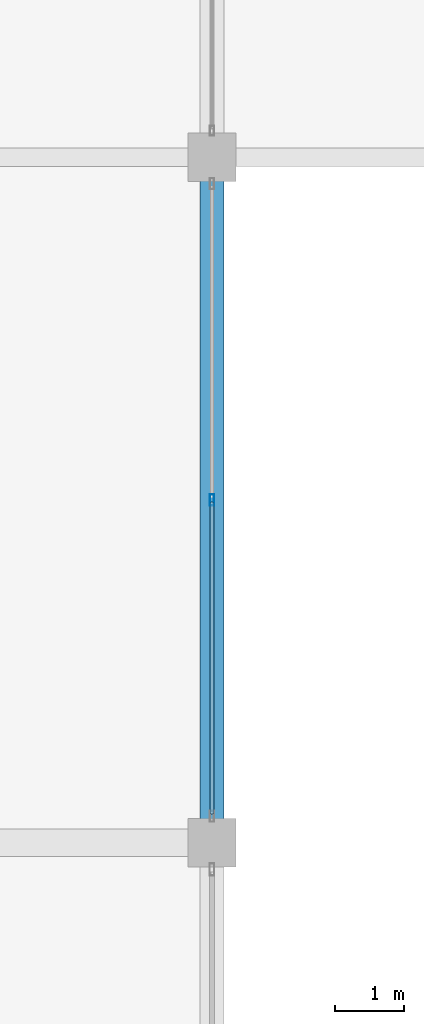
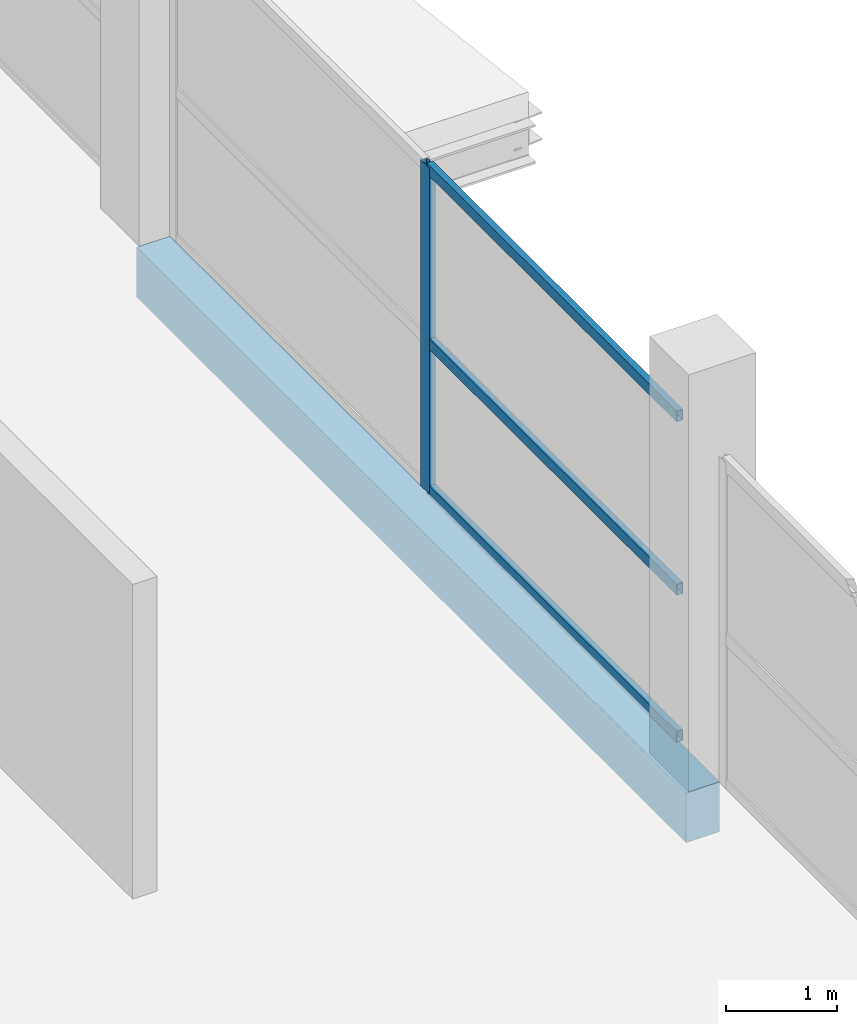
# One storey, part 34 of 69: 4 members, 1 beam, 1 element without a shape of its own.
"""IFC4 building model written with IfcOpenShell, lengths in metres."""

from ifc_helpers import new_model, si_unit, direction, frame, origin, origin_2d, place, context, subcontext, project, spatial, rectangle, hollow_rectangle, extrude, material, layer, layer_set, material_profile, profile_set, type_object, element, aggregate, save


model = new_model("IFC4")

# Units and contexts
model_context = context("Model", 3, precision=1e-05, world=origin(), true_north=direction((0.0, 1.0)))
body_context = subcontext(model_context, "Body", "Model", "MODEL_VIEW")
ifc_project = project(units=[si_unit("LENGTHUNIT", "METRE"), si_unit("AREAUNIT", "SQUARE_METRE"), si_unit("VOLUMEUNIT", "CUBIC_METRE"), si_unit("PLANEANGLEUNIT", "RADIAN"), si_unit("MASSUNIT", "GRAM", prefix="KILO")], contexts=[model_context])

# Site, building, storey
site_placement = place(None, origin())
site = spatial("IfcSite", under=ifc_project, at=site_placement, CompositionType="ELEMENT")
building_placement = place(site_placement, origin())
building = spatial("IfcBuilding", under=site, at=building_placement, Name="Sillaruma Civic Art Gallery", CompositionType="ELEMENT")
storey_placement = place(building_placement, frame((0.0, 0.0, 42.330078125)))
storey = spatial("IfcBuildingStorey", under=building, at=storey_placement, Name="L08", CompositionType="ELEMENT", Elevation=42.330078125)

# Beam
ifc_material_1 = material(Name="Concrete H35 (35 MPa)", Category="concrete")
ifc_material_profile_1 = material_profile(ifc_material_1, rectangle(XDim=0.35009765625, YDim=0.550048828125, at=origin_2d()), Name="RCB350x550")
ifc_profile_set_1 = profile_set([ifc_material_profile_1], Name="Concrete H35 (35 MPa)")
beam_type = type_object("IfcBeamType", Name="BM-SPANDREL-RCB350x550", PredefinedType="SPANDREL", material=ifc_profile_set_1)
beam_placement = place(storey_placement, frame((114.39990234375, 49.5, -0.55517578125), z_axis=(0.0, 1.0, 0.0), x_axis=(-1.0, 0.0, 0.0)))
element("IfcBeam", 1, at=beam_placement, inside=storey, type_object=beam_type, Name="Beam BS-04 (L07:N:6-7)", PredefinedType="SPANDREL", context=body_context, shape_type="SweptSolid", body=[
    extrude(rectangle(XDim=0.35009765625, YDim=0.550048828125, at=origin_2d()), origin(), (0.0, 0.0, 1.0), 9.89990234375),
])

# Curtain wall, members
ifc_material_2 = material(Name="Thermally Broken Extruded Aluminium 6063-T6", Category="aluminium")
ifc_layer = layer(ifc_material_2, 0.159912109375, Name="Thermally Broken Extruded Aluminium 6063-T6")
ifc_layer_set = layer_set([ifc_layer], Name="Thermally Broken Extruded Aluminium 6063-T6")
curtain_wall_type = type_object("IfcCurtainWallType", Name="CW-UNI-30", PredefinedType="NOTDEFINED", material=ifc_layer_set)
curtain_wall_placement = place(storey_placement, origin())
curtain_wall = element("IfcCurtainWall", 2, at=curtain_wall_placement, inside=storey, type_object=curtain_wall_type, Name="Unitised Curtain Wall CW-30 (CW-L08-EBE-4)", PredefinedType="NOTDEFINED")
ifc_material_profile_2 = material_profile(ifc_material_2, hollow_rectangle(XDim=0.06494140625, YDim=0.159912109375, WallThickness=0.00390625, at=origin_2d()), Name="CWM65x160")
ifc_profile_set_2 = profile_set([ifc_material_profile_2], Name="Thermally Broken Extruded Aluminium 6063-T6")
member_type_1 = type_object("IfcMemberType", Name="MEM-MUL-CWM65x160", PredefinedType="MULLION", material=ifc_profile_set_2)
member_1_placement = place(storey_placement, frame((114.39990234375, 54.449951171875, 0.0), z_axis=(0.0, 0.0, 1.0), x_axis=(-1.0, 0.0, 0.0)))
member_1 = element("IfcMember", 3, at=member_1_placement, type_object=member_type_1, Name="CW-30 mullion 2", PredefinedType="MULLION", context=body_context, shape_type="SweptSolid", body=[
    extrude(hollow_rectangle(XDim=0.06494140625, YDim=0.159912109375, WallThickness=0.00390625, at=origin_2d()), origin(), (0.0, 0.0, 1.0), 3.58984375),
])
ifc_material_profile_3 = material_profile(ifc_material_2, hollow_rectangle(XDim=0.06494140625, YDim=0.1201171875, WallThickness=0.00341796875, at=origin_2d()), Name="CWT65x120")
ifc_profile_set_3 = profile_set([ifc_material_profile_3], Name="Thermally Broken Extruded Aluminium 6063-T6")
member_type_2 = type_object("IfcMemberType", Name="MEM-TRN-CWT65x120", PredefinedType="USERDEFINED", material=ifc_profile_set_3)
member_2_placement = place(storey_placement, frame((114.39990234375, 49.9150390625, 0.032470703125), z_axis=(0.0, 1.0, 0.0), x_axis=(-1.0, 0.0, 0.0)))
member_2 = element("IfcMember", 4, at=member_2_placement, type_object=member_type_2, Name="CW-30 transom 1.1", ObjectType="TRANSOM", PredefinedType="USERDEFINED", context=body_context, shape_type="SweptSolid", body=[
    extrude(hollow_rectangle(XDim=0.06494140625, YDim=0.1201171875, WallThickness=0.00341796875, at=origin_2d()), origin(), (0.0, 0.0, 1.0), 4.50244140625),
])
member_3_placement = place(storey_placement, frame((114.39990234375, 49.9150390625, 1.6513671875), z_axis=(0.0, 1.0, 0.0), x_axis=(-1.0, 0.0, 0.0)))
member_3 = element("IfcMember", 5, at=member_3_placement, type_object=member_type_2, Name="CW-30 transom 1.2", ObjectType="TRANSOM", PredefinedType="USERDEFINED", context=body_context, shape_type="SweptSolid", body=[
    extrude(hollow_rectangle(XDim=0.06494140625, YDim=0.1201171875, WallThickness=0.00341796875, at=origin_2d()), origin(), (0.0, 0.0, 1.0), 4.50244140625),
])
member_4_placement = place(storey_placement, frame((114.39990234375, 49.9150390625, 3.557373046875), z_axis=(0.0, 1.0, 0.0), x_axis=(-1.0, 0.0, 0.0)))
member_4 = element("IfcMember", 6, at=member_4_placement, type_object=member_type_2, Name="CW-30 transom 1.3", ObjectType="TRANSOM", PredefinedType="USERDEFINED", context=body_context, shape_type="SweptSolid", body=[
    extrude(hollow_rectangle(XDim=0.06494140625, YDim=0.1201171875, WallThickness=0.00341796875, at=origin_2d()), origin(), (0.0, 0.0, 1.0), 4.50244140625),
])
aggregate(curtain_wall, [member_1, member_2, member_3, member_4])

save(model, "model.ifc")
